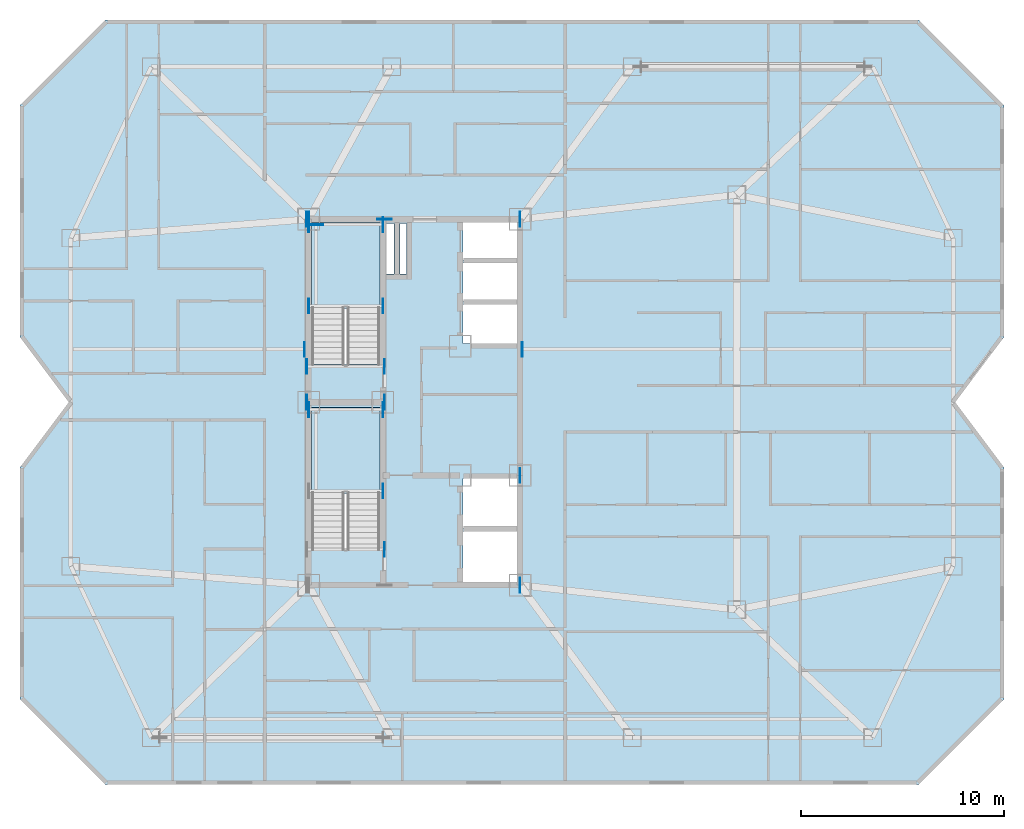
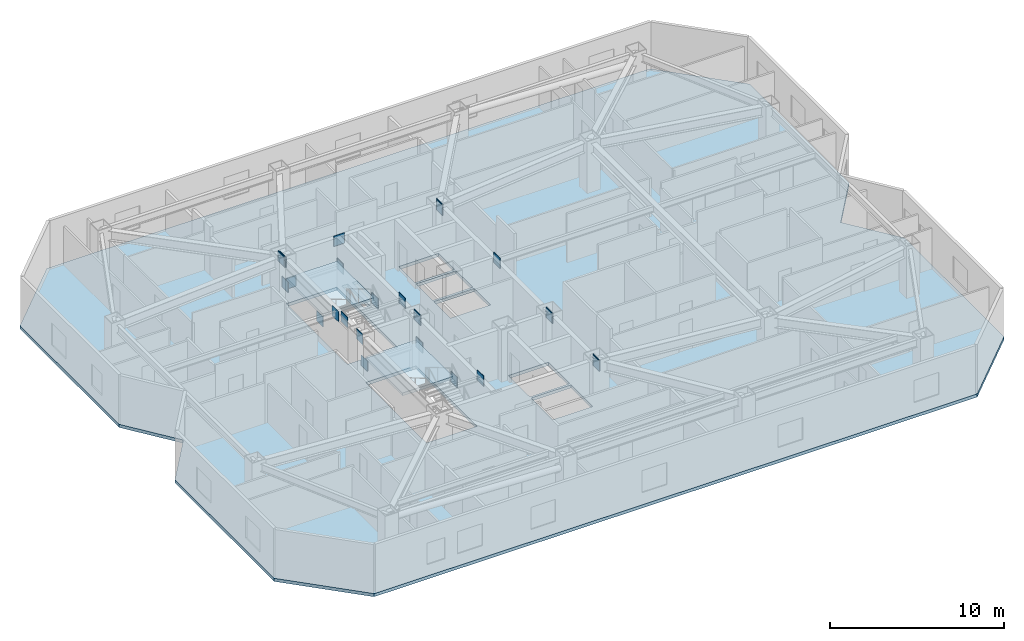
# One storey, part 2 of 11: 23 plates, 3 slabs, 2 elements without a shape of their own.
"""IFC4 building model written with IfcOpenShell, lengths in metres."""

from ifc_helpers import new_model, si_unit, direction, frame, origin, origin_2d, place, context, subcontext, project, spatial, polyline, rectangle, outline, extrude, material, layer, layer_set, type_object, element, aggregate, save


model = new_model("IFC4")

# Units and contexts
model_context = context("Model", 3, precision=1e-05, world=origin(), true_north=direction((0.0, 1.0)))
body_context = subcontext(model_context, "Body", "Model", "MODEL_VIEW")
ifc_project = project(units=[si_unit("LENGTHUNIT", "METRE"), si_unit("AREAUNIT", "SQUARE_METRE"), si_unit("VOLUMEUNIT", "CUBIC_METRE"), si_unit("PLANEANGLEUNIT", "RADIAN"), si_unit("MASSUNIT", "GRAM", prefix="KILO")], contexts=[model_context])

# Site, building, storey
site_placement = place(None, origin())
site = spatial("IfcSite", under=ifc_project, at=site_placement, CompositionType="ELEMENT")
building_placement = place(site_placement, origin())
building = spatial("IfcBuilding", under=site, at=building_placement, Name="Khamvora Tower", CompositionType="ELEMENT")
storey_placement = place(building_placement, frame((0.0, 0.0, 163.199951171875)))
storey = spatial("IfcBuildingStorey", under=building, at=storey_placement, Name="L41", CompositionType="ELEMENT", Elevation=163.199951171875)

# Plates
ifc_material_1 = material(Name="Steel S460", Category="steel")
ifc_layer_1 = layer(ifc_material_1, 0.034912109375)
ifc_layer_set_1 = layer_set([ifc_layer_1], Name="Steel S460")
plate_type = type_object("IfcPlateType", Name="PL-EMB-35", PredefinedType="SHEET", material=ifc_layer_set_1)
for number, where, z_axis, x_axis, name in (
    (1, (32.64990234375, 23.635009765625, 1.13427734375), (0.0, 0.0, 1.0), (1.0, 0.0, 0.0), "L41 core shear wall cast-in embed plate 1199"),
    (2, (29.0, 27.6298828125, 1.13427734375), (0.0, 0.0, 1.0), (1.0, 0.0, 0.0), "L41 core shear wall cast-in embed plate 1200"),
    (3, (32.64990234375, 27.6298828125, 1.13427734375), (0.0, 0.0, 1.0), (1.0, 0.0, 0.0), "L41 core shear wall cast-in embed plate 1201"),
    (4, (29.0, 32.735107421875, 1.13427734375), (0.0, 0.0, 1.0), (1.0, 0.0, 0.0), "L41 core shear wall cast-in embed plate 1202"),
    (5, (32.64990234375, 32.735107421875, 1.13427734375), (0.0, 0.0, 1.0), (1.0, 0.0, 0.0), "L41 core shear wall cast-in embed plate 1203"),
    (6, (29.0, 36.72998046875, 1.13427734375), (0.0, 0.0, 1.0), (1.0, 0.0, 0.0), "L41 core shear wall cast-in embed plate 1204"),
    (7, (32.64990234375, 36.72998046875, 1.13427734375), (0.0, 0.0, 1.0), (1.0, 0.0, 0.0), "L41 core shear wall cast-in embed plate 1205"),
):
    element("IfcPlate", number, at=place(storey_placement, frame(where, z_axis=z_axis, x_axis=x_axis)), inside=storey, type_object=plate_type, Name=name, PredefinedType="SHEET", context=body_context, shape_type="SweptSolid", body=[
        extrude(rectangle(XDim=0.034912109375, YDim=0.719970703125, at=origin_2d()), origin(), (0.0, 0.0, 1.0), 0.719970703125),
    ])
plate_1_placement = place(storey_placement, frame((29.35009765625, 36.72998046875, 1.13427734375), z_axis=(0.0, 0.0, 1.0), x_axis=(1.0, 0.0, 0.0)))
element("IfcPlate", 8, at=plate_1_placement, inside=storey, type_object=plate_type, Name="L41 core shear wall cast-in embed plate 1206", PredefinedType="SHEET", context=body_context, shape_type="SweptSolid", body=[
    extrude(rectangle(XDim=0.719970703125, YDim=0.034912109375, at=origin_2d()), origin(), (0.0, 0.0, 1.0), 0.719970703125),
])
for number, where, z_axis, x_axis, name in (
    (9, (39.39990234375, 19.0, 2.72216796875), (0.0, 0.0, 1.0), (1.0, 0.0, 0.0), "L41 core shear wall cast-in embed plate 1208"),
    (10, (29.0, 37.0, 2.72216796875), (0.0, 0.0, 1.0), (1.0, 0.0, 0.0), "L41 core shear wall cast-in embed plate 1209"),
    (11, (39.39990234375, 37.0, 2.72216796875), (0.0, 0.0, 1.0), (1.0, 0.0, 0.0), "L41 core shear wall cast-in embed plate 1210"),
    (12, (28.89990234375, 28.0, 2.80322265625), (0.0, 0.0, 1.0), (1.0, 0.0, 0.0), "L41 core shear wall cast-in embed plate 1212"),
    (13, (28.89990234375, 37.0, 2.80322265625), (0.0, 0.0, 1.0), (1.0, 0.0, 0.0), "L41 core shear wall cast-in embed plate 1213"),
    (14, (32.72998046875, 28.0, 2.80322265625), (0.0, 0.0, 1.0), (1.0, 0.0, 0.0), "L41 core shear wall cast-in embed plate 1215"),
):
    element("IfcPlate", number, at=place(storey_placement, frame(where, z_axis=z_axis, x_axis=x_axis)), inside=storey, type_object=plate_type, Name=name, PredefinedType="SHEET", context=body_context, shape_type="SweptSolid", body=[
        extrude(rectangle(XDim=0.034912109375, YDim=0.719970703125, at=origin_2d()), origin(), (0.0, 0.0, 1.0), 0.719970703125),
    ])
plate_2_placement = place(storey_placement, frame((32.72998046875, 37.0, 2.80322265625), z_axis=(0.0, 0.0, 1.0), x_axis=(1.0, 0.0, 0.0)))
element("IfcPlate", 15, at=plate_2_placement, inside=storey, type_object=plate_type, Name="L41 core shear wall cast-in embed plate 1216", PredefinedType="SHEET", context=body_context, shape_type="SweptSolid", body=[
    extrude(rectangle(XDim=0.719970703125, YDim=0.034912109375, at=origin_2d()), origin(), (0.0, 0.0, 1.0), 0.719970703125),
])
for number, where, z_axis, x_axis, name in (
    (16, (39.39990234375, 19.0, 2.80322265625), (0.0, 0.0, 1.0), (1.0, 0.0, 0.0), "L41 core shear wall cast-in embed plate 1217"),
    (17, (39.39990234375, 24.39990234375, 2.80322265625), (0.0, 0.0, 1.0), (1.0, 0.0, 0.0), "L41 core shear wall cast-in embed plate 1218"),
    (18, (39.39990234375, 37.0, 2.80322265625), (0.0, 0.0, 1.0), (1.0, 0.0, 0.0), "L41 core shear wall cast-in embed plate 1219"),
    (19, (32.72998046875, 20.75, 2.94384765625), (0.0, 0.0, 1.0), (1.0, 0.0, 0.0), "L41 core shear wall cast-in embed plate 1221"),
    (20, (28.89990234375, 29.75, 2.94384765625), (0.0, 0.0, 1.0), (1.0, 0.0, 0.0), "L41 core shear wall cast-in embed plate 1222"),
    (21, (32.72998046875, 29.75, 2.94384765625), (0.0, 0.0, 1.0), (1.0, 0.0, 0.0), "L41 core shear wall cast-in embed plate 1223"),
    (22, (28.800048828125, 30.60009765625, 2.8671875), (0.0, 0.0, 1.0), (1.0, 0.0, 0.0), "L41 core shear wall cast-in embed plate 1224"),
    (23, (39.4990234375, 30.60009765625, 2.8671875), (0.0, 0.0, 1.0), (1.0, 0.0, 0.0), "L41 core shear wall cast-in embed plate 1225"),
):
    element("IfcPlate", number, at=place(storey_placement, frame(where, z_axis=z_axis, x_axis=x_axis)), inside=storey, type_object=plate_type, Name=name, PredefinedType="SHEET", context=body_context, shape_type="SweptSolid", body=[
        extrude(rectangle(XDim=0.034912109375, YDim=0.719970703125, at=origin_2d()), origin(), (0.0, 0.0, 1.0), 0.719970703125),
    ])

# Stair, slab
ifc_material_2 = material(Name="Concrete C40/50", Category="concrete")
stair_type_1 = type_object("IfcStairType", Name="STR-ST-01", PredefinedType="HALF_TURN_STAIR", material=ifc_material_2)
stair_1_placement = place(storey_placement, origin())
stair_1 = element("IfcStair", 24, at=stair_1_placement, inside=storey, type_object=stair_type_1, Name="L41 South Tower Exit Stair ST-01", PredefinedType="HALF_TURN_STAIR")
ifc_layer_2 = layer(ifc_material_2, 0.199951171875)
ifc_layer_set_2 = layer_set([ifc_layer_2], Name="Concrete C40/50")
slab_type_1 = type_object("IfcSlabType", Name="SLB-LND-200", PredefinedType="LANDING", material=ifc_layer_set_2)
slab_1_placement = place(storey_placement, frame((0.0, 0.0, 1.625)))
slab_1 = element("IfcSlab", 25, at=slab_1_placement, type_object=slab_type_1, Name="ST-01 landing 1", PredefinedType="LANDING", context=body_context, shape_type="SweptSolid", body=[
    extrude(outline(polyline([(32.5, 23.514892578125), (32.5, 27.75), (29.14990234375, 27.75), (29.14990234375, 23.514892578125), (32.5, 23.514892578125)])), origin(), (0.0, 0.0, 1.0), 0.199951171875),
])
aggregate(stair_1, [slab_1])

stair_type_2 = type_object("IfcStairType", Name="STR-ST-02", PredefinedType="HALF_TURN_STAIR", material=ifc_material_2)
stair_2_placement = place(storey_placement, origin())
stair_2 = element("IfcStair", 26, at=stair_2_placement, inside=storey, type_object=stair_type_2, Name="L41 North Tower Exit Stair ST-02", PredefinedType="HALF_TURN_STAIR")
slab_2_placement = place(storey_placement, frame((0.0, 0.0, 1.625)))
slab_2 = element("IfcSlab", 27, at=slab_2_placement, type_object=slab_type_1, Name="ST-02 landing 1", PredefinedType="LANDING", context=body_context, shape_type="SweptSolid", body=[
    extrude(outline(polyline([(32.5, 32.614990234375), (32.5, 36.85009765625), (29.14990234375, 36.85009765625), (29.14990234375, 32.614990234375), (32.5, 32.614990234375)])), origin(), (0.0, 0.0, 1.0), 0.199951171875),
])
aggregate(stair_2, [slab_2])

# Slab
ifc_material_3 = material(Name="Concrete C35/45", Category="concrete")
ifc_layer_3 = layer(ifc_material_3, 0.219970703125)
ifc_layer_set_3 = layer_set([ifc_layer_3], Name="Concrete C35/45")
slab_type_2 = type_object("IfcSlabType", Name="SLB-TYP-220", PredefinedType="FLOOR", material=ifc_layer_set_3)
slab_3_placement = place(storey_placement, frame((0.0, 0.0, -0.219970703125)))
element("IfcSlab", 28, at=slab_3_placement, inside=storey, type_object=slab_type_2, Name="L41 structural floor slab", PredefinedType="FLOOR", context=body_context, shape_type="SweptSolid", body=[
    extrude(outline(polyline([(19.0, 9.199951171875), (59.0, 9.199951171875), (63.199951171875, 13.39990234375), (63.199951171875, 24.800048828125), (60.800048828125, 28.0), (63.199951171875, 31.199951171875), (63.199951171875, 42.60009765625), (59.0, 46.800048828125), (19.0, 46.800048828125), (14.800048828125, 42.60009765625), (14.800048828125, 31.199951171875), (17.199951171875, 28.0), (14.800048828125, 24.800048828125), (14.800048828125, 13.39990234375), (19.0, 9.199951171875)]), holes=[polyline([(32.5, 20.760009765625), (32.5, 27.75), (29.14990234375, 27.75), (29.14990234375, 20.760009765625), (32.5, 20.760009765625)]), polyline([(32.5, 29.860107421875), (32.5, 36.85009765625), (29.14990234375, 36.85009765625), (29.14990234375, 29.860107421875), (32.5, 29.860107421875)]), polyline([(36.60009765625, 19.14990234375), (39.25, 19.14990234375), (39.25, 21.64990234375), (36.60009765625, 21.64990234375), (36.60009765625, 19.14990234375)]), polyline([(36.60009765625, 21.800048828125), (39.25, 21.800048828125), (39.25, 24.25), (36.60009765625, 24.25), (36.60009765625, 21.800048828125)]), polyline([(36.60009765625, 30.89990234375), (39.25, 30.89990234375), (39.25, 32.800048828125), (36.60009765625, 32.800048828125), (36.60009765625, 30.89990234375)]), polyline([(36.60009765625, 32.949951171875), (39.25, 32.949951171875), (39.25, 34.85009765625), (36.60009765625, 34.85009765625), (36.60009765625, 32.949951171875)]), polyline([(36.60009765625, 35.0), (39.25, 35.0), (39.25, 36.85009765625), (36.60009765625, 36.85009765625), (36.60009765625, 35.0)]), polyline([(32.800048828125, 34.300048828125), (33.199951171875, 34.300048828125), (33.199951171875, 36.800048828125), (32.800048828125, 36.800048828125), (32.800048828125, 34.300048828125)]), polyline([(33.47998046875, 34.300048828125), (33.820068359375, 34.300048828125), (33.820068359375, 36.800048828125), (33.47998046875, 36.800048828125), (33.47998046875, 34.300048828125)])]), origin(), (0.0, 0.0, 1.0), 0.219970703125),
])

save(model, "model.ifc")
